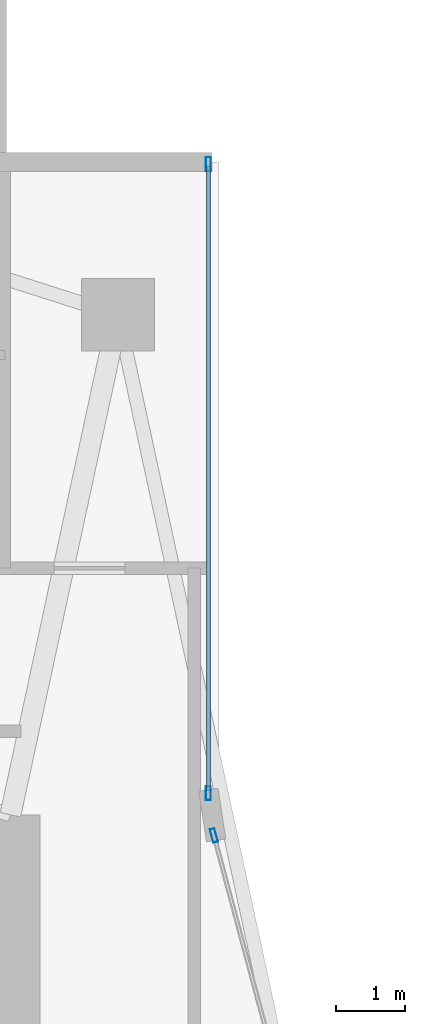
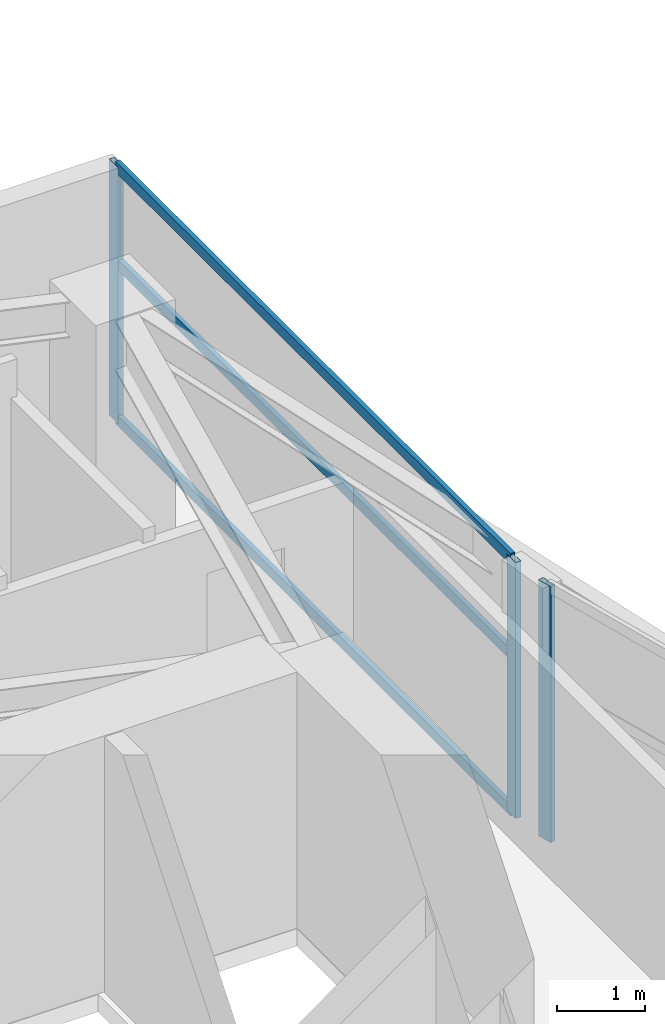
# One storey, part 18 of 28: 6 members, 2 elements without a shape of their own.
"""IFC4 building model written with IfcOpenShell, lengths in metres."""

from ifc_helpers import new_model, si_unit, direction, frame, origin, origin_2d, place, context, subcontext, project, spatial, hollow_rectangle, extrude, material, layer, layer_set, material_profile, profile_set, type_object, element, aggregate, save


model = new_model("IFC4")

# Units and contexts
model_context = context("Model", 3, precision=1e-05, world=origin(), true_north=direction((0.0, 1.0)))
body_context = subcontext(model_context, "Body", "Model", "MODEL_VIEW")
ifc_project = project(units=[si_unit("LENGTHUNIT", "METRE"), si_unit("AREAUNIT", "SQUARE_METRE"), si_unit("VOLUMEUNIT", "CUBIC_METRE"), si_unit("PLANEANGLEUNIT", "RADIAN"), si_unit("MASSUNIT", "GRAM", prefix="KILO")], contexts=[model_context])

# Site, building, storey
site_placement = place(None, origin())
site = spatial("IfcSite", under=ifc_project, at=site_placement, CompositionType="ELEMENT")
building_placement = place(site_placement, origin())
building = spatial("IfcBuilding", under=site, at=building_placement, Name="Calvorn Quay Hotel", CompositionType="ELEMENT")
storey_placement = place(building_placement, frame((0.0, 0.0, 112.60009765625)))
storey = spatial("IfcBuildingStorey", under=building, at=storey_placement, Name="L27", CompositionType="ELEMENT", Elevation=112.60009765625)

# Curtain wall, member
ifc_material_1 = material(Name="Pale Anodised Aluminium and Low-E Glass", Category="aluminium")
ifc_layer = layer(ifc_material_1, 0.219970703125)
ifc_layer_set = layer_set([ifc_layer], Name="CW-SYS-Z2")
curtain_wall_type = type_object("IfcCurtainWallType", Name="CW-SYS-Z2", PredefinedType="NOTDEFINED", material=ifc_layer_set)
curtain_wall_1_placement = place(storey_placement, origin())
curtain_wall_1 = element("IfcCurtainWall", 1, at=curtain_wall_1_placement, inside=storey, type_object=curtain_wall_type, Name="Inner Court Curtain Wall L27-IC1", PredefinedType="NOTDEFINED")
ifc_material_2 = material(Name="Pale Anodised Aluminium 6063-T6", Category="aluminium")
ifc_material_profile_1 = material_profile(ifc_material_2, hollow_rectangle(XDim=0.070068359375, YDim=0.199951171875, WallThickness=0.00390625, at=origin_2d()), Name="ALU-M200x70x4")
ifc_profile_set_1 = profile_set([ifc_material_profile_1], Name="Pale Anodised Aluminium 6063-T6")
member_type_1 = type_object("IfcMemberType", Name="CW-SYS-Z2-MUL", PredefinedType="MULLION", material=ifc_profile_set_1)
member_1_placement = place(storey_placement, frame((17.9296875, 38.10107421875, 0.0), z_axis=(0.0, 0.0, 1.0), x_axis=(-0.96593652056, -0.25877913024, 0.0)))
member_1 = element("IfcMember", 2, at=member_1_placement, type_object=member_type_1, Name="CW-L27-IC1 mullion 2", PredefinedType="MULLION", context=body_context, shape_type="SweptSolid", body=[
    extrude(hollow_rectangle(XDim=0.070068359375, YDim=0.199951171875, WallThickness=0.00390625, at=origin_2d()), origin(), (0.0, 0.0, 1.0), 3.559814453125),
])
aggregate(curtain_wall_1, [member_1])

# Curtain wall, members
curtain_wall_2_placement = place(storey_placement, origin())
curtain_wall_2 = element("IfcCurtainWall", 3, at=curtain_wall_2_placement, inside=storey, type_object=curtain_wall_type, Name="Inner Court Curtain Wall L27-IC2", PredefinedType="NOTDEFINED")
member_2_placement = place(storey_placement, frame((17.85009765625, 38.7099609375, 0.0), z_axis=(0.0, 0.0, 1.0), x_axis=(-1.0, 0.0, 0.0)))
member_2 = element("IfcMember", 4, at=member_2_placement, type_object=member_type_1, Name="CW-L27-IC2 mullion 1", PredefinedType="MULLION", context=body_context, shape_type="SweptSolid", body=[
    extrude(hollow_rectangle(XDim=0.070068359375, YDim=0.199951171875, WallThickness=0.00390625, at=origin_2d()), origin(), (0.0, 0.0, 1.0), 3.559814453125),
])
member_3_placement = place(storey_placement, frame((17.85009765625, 47.77001953125, 0.0), z_axis=(0.0, 0.0, 1.0), x_axis=(-1.0, 0.0, 0.0)))
member_3 = element("IfcMember", 5, at=member_3_placement, type_object=member_type_1, Name="CW-L27-IC2 mullion 2", PredefinedType="MULLION", context=body_context, shape_type="SweptSolid", body=[
    extrude(hollow_rectangle(XDim=0.070068359375, YDim=0.199951171875, WallThickness=0.00390625, at=origin_2d()), origin(), (0.0, 0.0, 1.0), 3.559814453125),
])
ifc_material_3 = material(Name="Pale Anodised Aluminium 6063-T6", Category="aluminium")
ifc_material_profile_2 = material_profile(ifc_material_3, hollow_rectangle(XDim=0.06005859375, YDim=0.14990234375, WallThickness=0.00341796875, at=origin_2d()), Name="ALU-T150x60x3.5")
ifc_profile_set_2 = profile_set([ifc_material_profile_2], Name="Pale Anodised Aluminium 6063-T6")
member_type_2 = type_object("IfcMemberType", Name="CW-SYS-Z2-TRN", PredefinedType="USERDEFINED", material=ifc_profile_set_2)
member_4_placement = place(storey_placement, frame((17.85009765625, 38.739990234375, 0.02978515625), z_axis=(0.0, 1.0, 0.0), x_axis=(-1.0, 0.0, 0.0)))
member_4 = element("IfcMember", 6, at=member_4_placement, type_object=member_type_2, Name="CW-L27-IC2 transom 1.1", ObjectType="TRANSOM", PredefinedType="USERDEFINED", context=body_context, shape_type="SweptSolid", body=[
    extrude(hollow_rectangle(XDim=0.06005859375, YDim=0.14990234375, WallThickness=0.00341796875, at=origin_2d()), origin(), (0.0, 0.0, 1.0), 9.0),
])
member_5_placement = place(storey_placement, frame((17.85009765625, 38.739990234375, 2.199951171875), z_axis=(0.0, 1.0, 0.0), x_axis=(-1.0, 0.0, 0.0)))
member_5 = element("IfcMember", 7, at=member_5_placement, type_object=member_type_2, Name="CW-L27-IC2 transom 1.2", ObjectType="TRANSOM", PredefinedType="USERDEFINED", context=body_context, shape_type="SweptSolid", body=[
    extrude(hollow_rectangle(XDim=0.06005859375, YDim=0.14990234375, WallThickness=0.00341796875, at=origin_2d()), origin(), (0.0, 0.0, 1.0), 9.0),
])
member_6_placement = place(storey_placement, frame((17.85009765625, 38.739990234375, 3.52978515625), z_axis=(0.0, 1.0, 0.0), x_axis=(-1.0, 0.0, 0.0)))
member_6 = element("IfcMember", 8, at=member_6_placement, type_object=member_type_2, Name="CW-L27-IC2 transom 1.3", ObjectType="TRANSOM", PredefinedType="USERDEFINED", context=body_context, shape_type="SweptSolid", body=[
    extrude(hollow_rectangle(XDim=0.06005859375, YDim=0.14990234375, WallThickness=0.00341796875, at=origin_2d()), origin(), (0.0, 0.0, 1.0), 9.0),
])
aggregate(curtain_wall_2, [member_2, member_3, member_4, member_5, member_6])

save(model, "model.ifc")
